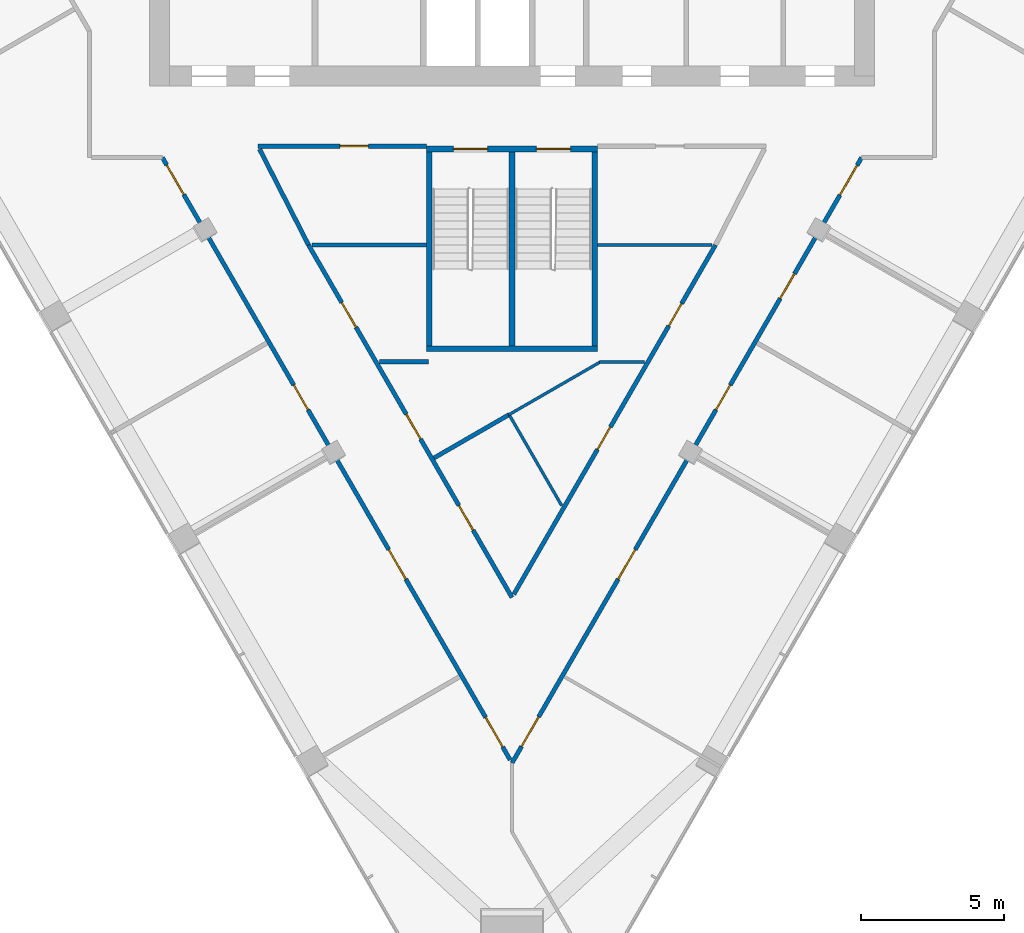
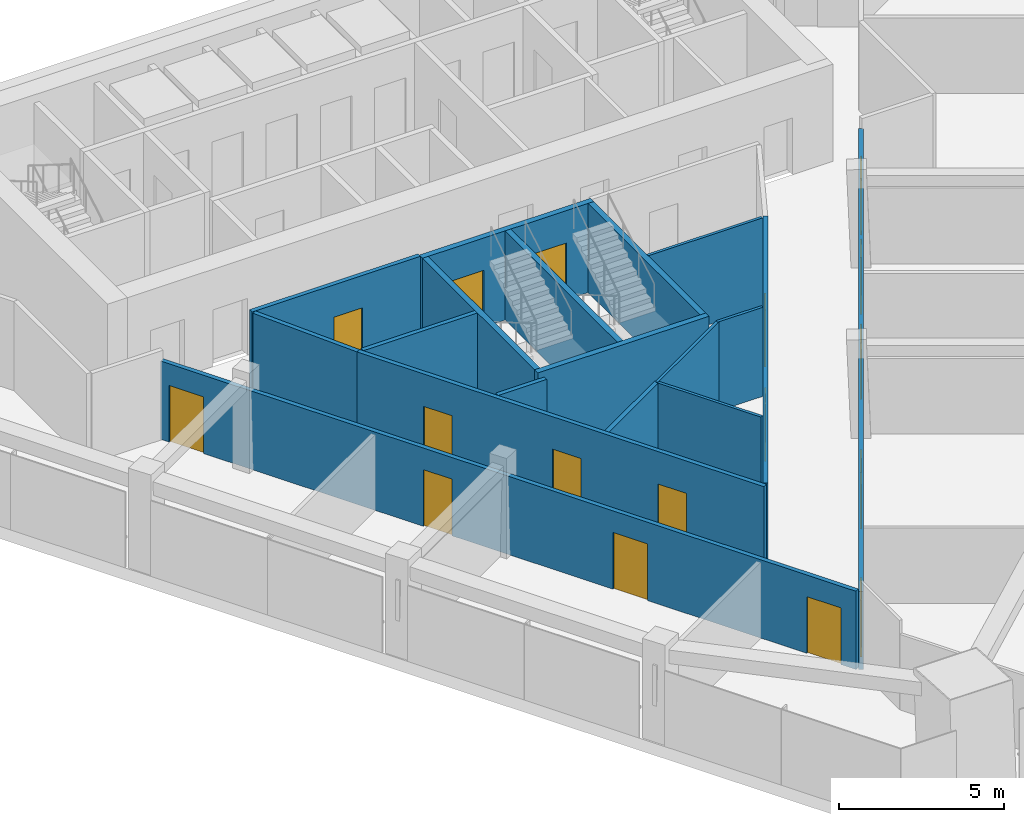
# One storey, part 8 of 13: 18 walls, 17 doors, 17 openings.
"""IFC4 building model written with IfcOpenShell, lengths in metres."""

from ifc_helpers import new_model, si_unit, direction, frame, frame_2d, origin, place, context, subcontext, project, spatial, rectangle, extrude, material, layer, layer_set, type_object, element, fill, save


model = new_model("IFC4")

# Units and contexts
model_context = context("Model", 3, precision=1e-05, world=origin(), true_north=direction((0.0, 1.0)))
body_context = subcontext(model_context, "Body", "Model", "MODEL_VIEW")
ifc_project = project(units=[si_unit("LENGTHUNIT", "METRE"), si_unit("AREAUNIT", "SQUARE_METRE"), si_unit("VOLUMEUNIT", "CUBIC_METRE"), si_unit("PLANEANGLEUNIT", "RADIAN"), si_unit("MASSUNIT", "GRAM", prefix="KILO")], contexts=[model_context])

# Site, building, storey
site_placement = place(None, origin())
site = spatial("IfcSite", under=ifc_project, at=site_placement, CompositionType="ELEMENT")
building_placement = place(site_placement, origin())
building = spatial("IfcBuilding", under=site, at=building_placement, Name="Altiplano Prism Tower", CompositionType="ELEMENT")
storey_placement = place(building_placement, frame((0.0, 0.0, 208.800048828125)))
storey = spatial("IfcBuildingStorey", under=building, at=storey_placement, Name="L54", CompositionType="ELEMENT", Elevation=208.800048828125)

# Walls
ifc_material_1 = material(Name="Plasterboard on steel stud", Category="steel")
ifc_layer_1 = layer(ifc_material_1, 0.10009765625)
ifc_layer_set_1 = layer_set([ifc_layer_1], Name="Plasterboard on steel stud")
wall_type_1 = type_object("IfcWallType", Name="Partition 100 wet", PredefinedType="PARTITIONING", material=ifc_layer_set_1)
wall_1_placement = place(storey_placement, frame((89.648193359375, 83.045166015625, 0.0), z_axis=(0.0, 0.0, 1.0), x_axis=(-1.0, 0.0, 0.0)))
element("IfcWall", 1, at=wall_1_placement, inside=storey, type_object=wall_type_1, Name="Partition P03 L54 023", PredefinedType="PARTITIONING", context=body_context, shape_type="SweptSolid", body=[
    extrude(rectangle(XDim=1.58984375, YDim=0.10009765625, at=frame_2d((0.794921875, 0.0))), origin(), (0.0, 0.0, 1.0), 3.300048828125),
])
wall_2_placement = place(storey_placement, frame((88.098388671875, 83.045166015625, 0.0), z_axis=(0.0, 0.0, 1.0), x_axis=(-0.866037789714, -0.499978546328, 0.0)))
element("IfcWall", 2, at=wall_2_placement, inside=storey, type_object=wall_type_1, Name="Partition P03 L54 024", PredefinedType="PARTITIONING", context=body_context, shape_type="SweptSolid", body=[
    extrude(rectangle(XDim=3.713623046875, YDim=0.10009765625, at=frame_2d((1.85693359375, 0.0))), origin(), (0.0, 0.0, 1.0), 3.300048828125),
])
wall_3_placement = place(storey_placement, frame((84.899658203125, 81.198486328125, 0.0), z_axis=(0.0, 0.0, 1.0), x_axis=(0.500003651254, -0.866023295722, 0.0)))
element("IfcWall", 3, at=wall_3_placement, inside=storey, type_object=wall_type_1, Name="Partition P03 L54 025", PredefinedType="PARTITIONING", context=body_context, shape_type="SweptSolid", body=[
    extrude(rectangle(XDim=3.6826171875, YDim=0.10009765625, at=frame_2d((1.84130859375, 0.0))), origin(), (0.0, 0.0, 1.0), 3.300048828125),
])
wall_4_placement = place(storey_placement, frame((92.01171875, 87.1396484375, 0.0), z_axis=(0.0, 0.0, 1.0), x_axis=(-1.0, 0.0, 0.0)))
element("IfcWall", 4, at=wall_4_placement, inside=storey, type_object=wall_type_1, Name="Partition P03 L54 026", PredefinedType="PARTITIONING", context=body_context, shape_type="SweptSolid", body=[
    extrude(rectangle(XDim=4.01171875, YDim=0.10009765625, at=frame_2d((2.005859375, 0.0))), origin(), (0.0, 0.0, 1.0), 3.300048828125),
])

# Wall, openings, doors
ifc_layer_2 = layer(ifc_material_1, 0.14990234375)
ifc_layer_set_2 = layer_set([ifc_layer_2], Name="Plasterboard on steel stud")
wall_type_2 = type_object("IfcWallType", Name="Partition 150 corridor", PredefinedType="PARTITIONING", material=ifc_layer_set_2)
wall_5_placement = place(storey_placement, frame((92.127197265625, 87.1396484375, 0.0), z_axis=(0.0, 0.0, 1.0), x_axis=(-0.499947864803, -0.866055501962, 0.0)))
wall_5 = element("IfcWall", 5, at=wall_5_placement, inside=storey, type_object=wall_type_2, Name="Partition P06 L54 001", PredefinedType="PARTITIONING", context=body_context, shape_type="SweptSolid", body=[
    extrude(rectangle(XDim=14.1259765625, YDim=0.14990234375, at=frame_2d((7.06298828125, 0.0))), origin(), (0.0, 0.0, 1.0), 3.300048828125),
])
opening_1_placement = place(wall_5_placement, frame((7.366943359375, 0.0, 0.0)))
opening_1 = element("IfcOpeningElement", 6, at=opening_1_placement, cuts=wall_5, Name="Opening D1849", PredefinedType="OPENING", context=body_context, shape_type="SweptSolid", body=[
    extrude(rectangle(XDim=0.89990234375, YDim=2.10009765625, at=frame_2d((0.449951171875, 1.050048828125))), frame((0.0, 0.08544921875, 0.0), z_axis=(0.0, -1.0, 0.0), x_axis=(1.0, 0.0, 0.0)), (0.0, 0.0, 1.0), 0.1708984375),
])
opening_2_placement = place(wall_5_placement, frame((2.3720703125, 0.0, 0.0)))
opening_2 = element("IfcOpeningElement", 7, at=opening_2_placement, cuts=wall_5, Name="Opening D1850", PredefinedType="OPENING", context=body_context, shape_type="SweptSolid", body=[
    extrude(rectangle(XDim=0.89990234375, YDim=2.10009765625, at=frame_2d((0.449951171875, 1.050048828125))), frame((0.0, 0.08544921875, 0.0), z_axis=(0.0, -1.0, 0.0), x_axis=(1.0, 0.0, 0.0)), (0.0, 0.0, 1.0), 0.1708984375),
])
ifc_material_2 = material(Name="Timber", Category="wood")
door_type_1 = type_object("IfcDoorType", Name="Toilet door 900 x 2100", OperationType="NOTDEFINED", PredefinedType="NOTDEFINED", material=ifc_material_2)
door_1_placement = place(opening_1_placement, origin())
door_1 = element("IfcDoor", 8, at=door_1_placement, inside=storey, type_object=door_type_1, Name="Door D1849", OperationType="SINGLE_SWING_LEFT", OverallHeight=2.10009765625, OverallWidth=0.89990234375, PredefinedType="NOTDEFINED", context=body_context, shape_type="SweptSolid", body=[
    extrude(rectangle(XDim=0.89990234375, YDim=2.10009765625, at=frame_2d((0.449951171875, 1.050048828125))), frame((0.0, 0.02490234375, 0.0), z_axis=(0.0, -1.0, 0.0), x_axis=(1.0, 0.0, 0.0)), (0.0, 0.0, 1.0), 0.050048828125),
])
fill(opening_1, door_1)
door_2_placement = place(opening_2_placement, origin())
door_2 = element("IfcDoor", 9, at=door_2_placement, inside=storey, type_object=door_type_1, Name="Door D1850", OperationType="SINGLE_SWING_LEFT", OverallHeight=2.10009765625, OverallWidth=0.89990234375, PredefinedType="NOTDEFINED", context=body_context, shape_type="SweptSolid", body=[
    extrude(rectangle(XDim=0.89990234375, YDim=2.10009765625, at=frame_2d((0.449951171875, 1.050048828125))), frame((0.0, 0.02490234375, 0.0), z_axis=(0.0, -1.0, 0.0), x_axis=(1.0, 0.0, 0.0)), (0.0, 0.0, 1.0), 0.050048828125),
])
fill(opening_2, door_2)

wall_6_placement = place(storey_placement, frame((85.0, 74.793212890625, 0.0), z_axis=(0.0, 0.0, 1.0), x_axis=(-0.499933459227, 0.866063817709, 0.0)))
wall_6 = element("IfcWall", 10, at=wall_6_placement, inside=storey, type_object=wall_type_2, Name="Partition P06 L54 002", PredefinedType="PARTITIONING", context=body_context, shape_type="SweptSolid", body=[
    extrude(rectangle(XDim=14.255859375, YDim=0.14990234375, at=frame_2d((7.1279296875, 0.0))), origin(), (0.0, 0.0, 1.0), 3.300048828125),
])
opening_3_placement = place(wall_6_placement, frame((6.407958984375, 0.0, 0.0)))
opening_3 = element("IfcOpeningElement", 11, at=opening_3_placement, cuts=wall_6, Name="Opening D1851", PredefinedType="OPENING", context=body_context, shape_type="SweptSolid", body=[
    extrude(rectangle(XDim=1.0, YDim=2.10009765625, at=frame_2d((0.5, 1.050048828125))), frame((0.0, 0.08544921875, 0.0), z_axis=(0.0, -1.0, 0.0), x_axis=(1.0, 0.0, 0.0)), (0.0, 0.0, 1.0), 0.1708984375),
])
opening_4_placement = place(wall_6_placement, frame((10.929931640625, 0.0, 0.0)))
opening_4 = element("IfcOpeningElement", 12, at=opening_4_placement, cuts=wall_6, Name="Opening D1852", PredefinedType="OPENING", context=body_context, shape_type="SweptSolid", body=[
    extrude(rectangle(XDim=1.0, YDim=2.10009765625, at=frame_2d((0.5, 1.050048828125))), frame((0.0, 0.08544921875, 0.0), z_axis=(0.0, -1.0, 0.0), x_axis=(1.0, 0.0, 0.0)), (0.0, 0.0, 1.0), 0.1708984375),
])
opening_5_placement = place(wall_6_placement, frame((2.719970703125, 0.0, 0.0)))
opening_5 = element("IfcOpeningElement", 13, at=opening_5_placement, cuts=wall_6, Name="Opening D1868", PredefinedType="OPENING", context=body_context, shape_type="SweptSolid", body=[
    extrude(rectangle(XDim=1.0, YDim=2.10009765625, at=frame_2d((0.5, 1.050048828125))), frame((0.0, 0.08544921875, 0.0), z_axis=(0.0, -1.0, 0.0), x_axis=(1.0, 0.0, 0.0)), (0.0, 0.0, 1.0), 0.1708984375),
])
door_type_2 = type_object("IfcDoorType", Name="Store door 1000 x 2100", OperationType="NOTDEFINED", PredefinedType="NOTDEFINED", material=ifc_material_2)
door_3_placement = place(opening_3_placement, origin())
door_3 = element("IfcDoor", 14, at=door_3_placement, inside=storey, type_object=door_type_2, Name="Door D1851", OperationType="SINGLE_SWING_RIGHT", OverallHeight=2.10009765625, OverallWidth=1.0, PredefinedType="NOTDEFINED", context=body_context, shape_type="SweptSolid", body=[
    extrude(rectangle(XDim=1.0, YDim=2.10009765625, at=frame_2d((0.5, 1.050048828125))), frame((0.0, 0.02490234375, 0.0), z_axis=(0.0, -1.0, 0.0), x_axis=(1.0, 0.0, 0.0)), (0.0, 0.0, 1.0), 0.050048828125),
])
fill(opening_3, door_3)
door_4_placement = place(opening_4_placement, origin())
door_4 = element("IfcDoor", 15, at=door_4_placement, inside=storey, type_object=door_type_2, Name="Door D1852", OperationType="SINGLE_SWING_RIGHT", OverallHeight=2.10009765625, OverallWidth=1.0, PredefinedType="NOTDEFINED", context=body_context, shape_type="SweptSolid", body=[
    extrude(rectangle(XDim=1.0, YDim=2.10009765625, at=frame_2d((0.5, 1.050048828125))), frame((0.0, 0.02490234375, 0.0), z_axis=(0.0, -1.0, 0.0), x_axis=(1.0, 0.0, 0.0)), (0.0, 0.0, 1.0), 0.050048828125),
])
fill(opening_4, door_4)
door_5_placement = place(opening_5_placement, origin())
door_5 = element("IfcDoor", 16, at=door_5_placement, inside=storey, type_object=door_type_2, Name="Door D1868", OperationType="SINGLE_SWING_LEFT", OverallHeight=2.10009765625, OverallWidth=1.0, PredefinedType="NOTDEFINED", context=body_context, shape_type="SweptSolid", body=[
    extrude(rectangle(XDim=1.0, YDim=2.10009765625, at=frame_2d((0.5, 1.050048828125))), frame((0.0, 0.02490234375, 0.0), z_axis=(0.0, -1.0, 0.0), x_axis=(1.0, 0.0, 0.0)), (0.0, 0.0, 1.0), 0.050048828125),
])
fill(opening_5, door_5)

wall_7_placement = place(storey_placement, frame((72.75634765625, 90.199951171875, 0.0), z_axis=(0.0, 0.0, 1.0), x_axis=(0.499998361514, -0.866026349763, 0.0)))
wall_7 = element("IfcWall", 17, at=wall_7_placement, inside=storey, type_object=wall_type_2, Name="Partition P06 L54 007", PredefinedType="PARTITIONING", context=body_context, shape_type="SweptSolid", body=[
    extrude(rectangle(XDim=24.357421875, YDim=0.14990234375, at=frame_2d((12.1787109375, 0.0))), origin(), (0.0, 0.0, 1.0), 2.89990234375),
])
opening_6_placement = place(wall_7_placement, frame((0.297119140625, 0.0, 0.0)))
opening_6 = element("IfcOpeningElement", 18, at=opening_6_placement, cuts=wall_7, Name="Opening D1854", PredefinedType="OPENING", context=body_context, shape_type="SweptSolid", body=[
    extrude(rectangle(XDim=1.199951171875, YDim=2.10009765625, at=frame_2d((0.60009765625, 1.050048828125))), frame((0.0, 0.08544921875, 0.0), z_axis=(0.0, -1.0, 0.0), x_axis=(1.0, 0.0, 0.0)), (0.0, 0.0, 1.0), 0.1708984375),
])
opening_7_placement = place(wall_7_placement, frame((9.201904296875, 0.0, 0.0)))
opening_7 = element("IfcOpeningElement", 19, at=opening_7_placement, cuts=wall_7, Name="Opening D1855", PredefinedType="OPENING", context=body_context, shape_type="SweptSolid", body=[
    extrude(rectangle(XDim=1.0, YDim=2.10009765625, at=frame_2d((0.5, 1.050048828125))), frame((0.0, 0.08544921875, 0.0), z_axis=(0.0, -1.0, 0.0), x_axis=(1.0, 0.0, 0.0)), (0.0, 0.0, 1.0), 0.1708984375),
])
opening_8_placement = place(wall_7_placement, frame((15.85205078125, 0.0, 0.0)))
opening_8 = element("IfcOpeningElement", 20, at=opening_8_placement, cuts=wall_7, Name="Opening D1856", PredefinedType="OPENING", context=body_context, shape_type="SweptSolid", body=[
    extrude(rectangle(XDim=1.199951171875, YDim=2.10009765625, at=frame_2d((0.60009765625, 1.050048828125))), frame((0.0, 0.08544921875, 0.0), z_axis=(0.0, -1.0, 0.0), x_axis=(1.0, 0.0, 0.0)), (0.0, 0.0, 1.0), 0.1708984375),
])
opening_9_placement = place(wall_7_placement, frame((22.634033203125, 0.0, 0.0)))
opening_9 = element("IfcOpeningElement", 21, at=opening_9_placement, cuts=wall_7, Name="Opening D1857", PredefinedType="OPENING", context=body_context, shape_type="SweptSolid", body=[
    extrude(rectangle(XDim=1.199951171875, YDim=2.10009765625, at=frame_2d((0.60009765625, 1.050048828125))), frame((0.0, 0.08544921875, 0.0), z_axis=(0.0, -1.0, 0.0), x_axis=(1.0, 0.0, 0.0)), (0.0, 0.0, 1.0), 0.1708984375),
])
door_type_3 = type_object("IfcDoorType", Name="Room door 1000 x 2100", OperationType="NOTDEFINED", PredefinedType="NOTDEFINED", material=ifc_material_2)
door_6_placement = place(opening_7_placement, origin())
door_6 = element("IfcDoor", 22, at=door_6_placement, inside=storey, type_object=door_type_3, Name="Door D1855", OperationType="SINGLE_SWING_LEFT", OverallHeight=2.10009765625, OverallWidth=1.0, PredefinedType="NOTDEFINED", context=body_context, shape_type="SweptSolid", body=[
    extrude(rectangle(XDim=1.0, YDim=2.10009765625, at=frame_2d((0.5, 1.050048828125))), frame((0.0, 0.02490234375, 0.0), z_axis=(0.0, -1.0, 0.0), x_axis=(1.0, 0.0, 0.0)), (0.0, 0.0, 1.0), 0.050048828125),
])
fill(opening_7, door_6)
door_type_4 = type_object("IfcDoorType", Name="Shared room door 1200 x 2100", OperationType="NOTDEFINED", PredefinedType="NOTDEFINED", material=ifc_material_2)
door_7_placement = place(opening_6_placement, origin())
door_7 = element("IfcDoor", 23, at=door_7_placement, inside=storey, type_object=door_type_4, Name="Door D1854", OperationType="SINGLE_SWING_RIGHT", OverallHeight=2.10009765625, OverallWidth=1.199951171875, PredefinedType="NOTDEFINED", context=body_context, shape_type="SweptSolid", body=[
    extrude(rectangle(XDim=1.199951171875, YDim=2.10009765625, at=frame_2d((0.60009765625, 1.050048828125))), frame((0.0, 0.02490234375, 0.0), z_axis=(0.0, -1.0, 0.0), x_axis=(1.0, 0.0, 0.0)), (0.0, 0.0, 1.0), 0.050048828125),
])
fill(opening_6, door_7)
door_8_placement = place(opening_8_placement, origin())
door_8 = element("IfcDoor", 24, at=door_8_placement, inside=storey, type_object=door_type_4, Name="Door D1856", OperationType="SINGLE_SWING_RIGHT", OverallHeight=2.10009765625, OverallWidth=1.199951171875, PredefinedType="NOTDEFINED", context=body_context, shape_type="SweptSolid", body=[
    extrude(rectangle(XDim=1.199951171875, YDim=2.10009765625, at=frame_2d((0.60009765625, 1.050048828125))), frame((0.0, 0.02490234375, 0.0), z_axis=(0.0, -1.0, 0.0), x_axis=(1.0, 0.0, 0.0)), (0.0, 0.0, 1.0), 0.050048828125),
])
fill(opening_8, door_8)
door_9_placement = place(opening_9_placement, origin())
door_9 = element("IfcDoor", 25, at=door_9_placement, inside=storey, type_object=door_type_4, Name="Door D1857", OperationType="SINGLE_SWING_LEFT", OverallHeight=2.10009765625, OverallWidth=1.199951171875, PredefinedType="NOTDEFINED", context=body_context, shape_type="SweptSolid", body=[
    extrude(rectangle(XDim=1.199951171875, YDim=2.10009765625, at=frame_2d((0.60009765625, 1.050048828125))), frame((0.0, 0.02490234375, 0.0), z_axis=(0.0, -1.0, 0.0), x_axis=(1.0, 0.0, 0.0)), (0.0, 0.0, 1.0), 0.050048828125),
])
fill(opening_9, door_9)

wall_8_placement = place(storey_placement, frame((85.0, 68.9931640625, 0.0), z_axis=(0.0, 0.0, 1.0), x_axis=(0.50000466271, 0.866022711751, 0.0)))
wall_8 = element("IfcWall", 26, at=wall_8_placement, inside=storey, type_object=wall_type_2, Name="Partition P06 L54 008", PredefinedType="PARTITIONING", context=body_context, shape_type="SweptSolid", body=[
    extrude(rectangle(XDim=24.487548828125, YDim=0.14990234375, at=frame_2d((12.24365234375, 0.0))), origin(), (0.0, 0.0, 1.0), 2.89990234375),
])
opening_10_placement = place(wall_8_placement, frame((0.6708984375, 0.0, 0.0)))
opening_10 = element("IfcOpeningElement", 27, at=opening_10_placement, cuts=wall_8, Name="Opening D1858", PredefinedType="OPENING", context=body_context, shape_type="SweptSolid", body=[
    extrude(rectangle(XDim=1.199951171875, YDim=2.10009765625, at=frame_2d((0.60009765625, 1.050048828125))), frame((0.0, 0.08544921875, 0.0), z_axis=(0.0, -1.0, 0.0), x_axis=(1.0, 0.0, 0.0)), (0.0, 0.0, 1.0), 0.1708984375),
])
opening_11_placement = place(wall_8_placement, frame((7.43603515625, 0.0, 0.0)))
opening_11 = element("IfcOpeningElement", 28, at=opening_11_placement, cuts=wall_8, Name="Opening D1859", PredefinedType="OPENING", context=body_context, shape_type="SweptSolid", body=[
    extrude(rectangle(XDim=1.199951171875, YDim=2.10009765625, at=frame_2d((0.60009765625, 1.050048828125))), frame((0.0, 0.08544921875, 0.0), z_axis=(0.0, -1.0, 0.0), x_axis=(1.0, 0.0, 0.0)), (0.0, 0.0, 1.0), 0.1708984375),
])
opening_12_placement = place(wall_8_placement, frame((14.285888671875, 0.0, 0.0)))
opening_12 = element("IfcOpeningElement", 29, at=opening_12_placement, cuts=wall_8, Name="Opening D1860", PredefinedType="OPENING", context=body_context, shape_type="SweptSolid", body=[
    extrude(rectangle(XDim=1.0, YDim=2.10009765625, at=frame_2d((0.5, 1.050048828125))), frame((0.0, 0.08544921875, 0.0), z_axis=(0.0, -1.0, 0.0), x_axis=(1.0, 0.0, 0.0)), (0.0, 0.0, 1.0), 0.1708984375),
])
opening_13_placement = place(wall_8_placement, frame((18.785888671875, 0.0, 0.0)))
opening_13 = element("IfcOpeningElement", 30, at=opening_13_placement, cuts=wall_8, Name="Opening D1861", PredefinedType="OPENING", context=body_context, shape_type="SweptSolid", body=[
    extrude(rectangle(XDim=1.0, YDim=2.10009765625, at=frame_2d((0.5, 1.050048828125))), frame((0.0, 0.08544921875, 0.0), z_axis=(0.0, -1.0, 0.0), x_axis=(1.0, 0.0, 0.0)), (0.0, 0.0, 1.0), 0.1708984375),
])
opening_14_placement = place(wall_8_placement, frame((22.972900390625, 0.0, 0.0)))
opening_14 = element("IfcOpeningElement", 31, at=opening_14_placement, cuts=wall_8, Name="Opening D1862", PredefinedType="OPENING", context=body_context, shape_type="SweptSolid", body=[
    extrude(rectangle(XDim=1.199951171875, YDim=2.10009765625, at=frame_2d((0.60009765625, 1.050048828125))), frame((0.0, 0.08544921875, 0.0), z_axis=(0.0, -1.0, 0.0), x_axis=(1.0, 0.0, 0.0)), (0.0, 0.0, 1.0), 0.1708984375),
])
door_10_placement = place(opening_12_placement, origin())
door_10 = element("IfcDoor", 32, at=door_10_placement, inside=storey, type_object=door_type_3, Name="Door D1860", OperationType="SINGLE_SWING_LEFT", OverallHeight=2.10009765625, OverallWidth=1.0, PredefinedType="NOTDEFINED", context=body_context, shape_type="SweptSolid", body=[
    extrude(rectangle(XDim=1.0, YDim=2.10009765625, at=frame_2d((0.5, 1.050048828125))), frame((0.0, 0.02490234375, 0.0), z_axis=(0.0, -1.0, 0.0), x_axis=(1.0, 0.0, 0.0)), (0.0, 0.0, 1.0), 0.050048828125),
])
fill(opening_12, door_10)
door_11_placement = place(opening_13_placement, origin())
door_11 = element("IfcDoor", 33, at=door_11_placement, inside=storey, type_object=door_type_3, Name="Door D1861", OperationType="SINGLE_SWING_RIGHT", OverallHeight=2.10009765625, OverallWidth=1.0, PredefinedType="NOTDEFINED", context=body_context, shape_type="SweptSolid", body=[
    extrude(rectangle(XDim=1.0, YDim=2.10009765625, at=frame_2d((0.5, 1.050048828125))), frame((0.0, 0.02490234375, 0.0), z_axis=(0.0, -1.0, 0.0), x_axis=(1.0, 0.0, 0.0)), (0.0, 0.0, 1.0), 0.050048828125),
])
fill(opening_13, door_11)
door_12_placement = place(opening_10_placement, origin())
door_12 = element("IfcDoor", 34, at=door_12_placement, inside=storey, type_object=door_type_4, Name="Door D1858", OperationType="SINGLE_SWING_RIGHT", OverallHeight=2.10009765625, OverallWidth=1.199951171875, PredefinedType="NOTDEFINED", context=body_context, shape_type="SweptSolid", body=[
    extrude(rectangle(XDim=1.199951171875, YDim=2.10009765625, at=frame_2d((0.60009765625, 1.050048828125))), frame((0.0, 0.02490234375, 0.0), z_axis=(0.0, -1.0, 0.0), x_axis=(1.0, 0.0, 0.0)), (0.0, 0.0, 1.0), 0.050048828125),
])
fill(opening_10, door_12)
door_13_placement = place(opening_11_placement, origin())
door_13 = element("IfcDoor", 35, at=door_13_placement, inside=storey, type_object=door_type_4, Name="Door D1859", OperationType="SINGLE_SWING_RIGHT", OverallHeight=2.10009765625, OverallWidth=1.199951171875, PredefinedType="NOTDEFINED", context=body_context, shape_type="SweptSolid", body=[
    extrude(rectangle(XDim=1.199951171875, YDim=2.10009765625, at=frame_2d((0.60009765625, 1.050048828125))), frame((0.0, 0.02490234375, 0.0), z_axis=(0.0, -1.0, 0.0), x_axis=(1.0, 0.0, 0.0)), (0.0, 0.0, 1.0), 0.050048828125),
])
fill(opening_11, door_13)
door_14_placement = place(opening_14_placement, origin())
door_14 = element("IfcDoor", 36, at=door_14_placement, inside=storey, type_object=door_type_4, Name="Door D1862", OperationType="SINGLE_SWING_RIGHT", OverallHeight=2.10009765625, OverallWidth=1.199951171875, PredefinedType="NOTDEFINED", context=body_context, shape_type="SweptSolid", body=[
    extrude(rectangle(XDim=1.199951171875, YDim=2.10009765625, at=frame_2d((0.60009765625, 1.050048828125))), frame((0.0, 0.02490234375, 0.0), z_axis=(0.0, -1.0, 0.0), x_axis=(1.0, 0.0, 0.0)), (0.0, 0.0, 1.0), 0.050048828125),
])
fill(opening_14, door_14)

# Wall
wall_9_placement = place(storey_placement, frame((77.873046875, 87.1396484375, 0.0), z_axis=(0.0, 0.0, 1.0), x_axis=(-0.455007044223, 0.890487838046, 0.0)))
element("IfcWall", 37, at=wall_9_placement, inside=storey, type_object=wall_type_2, Name="Partition P06 L54 021", PredefinedType="PARTITIONING", context=body_context, shape_type="SweptSolid", body=[
    extrude(rectangle(XDim=3.763427734375, YDim=0.14990234375, at=frame_2d((1.8818359375, 0.0))), origin(), (0.0, 0.0, 1.0), 3.300048828125),
])

# Wall, opening, door
wall_10_placement = place(storey_placement, frame((76.104736328125, 90.60009765625, 0.0), z_axis=(0.0, 0.0, 1.0), x_axis=(1.0, 0.0, 0.0)))
wall_10 = element("IfcWall", 38, at=wall_10_placement, inside=storey, type_object=wall_type_2, Name="Partition P06 L54 022", PredefinedType="PARTITIONING", context=body_context, shape_type="SweptSolid", body=[
    extrude(rectangle(XDim=5.895263671875, YDim=0.14990234375, at=frame_2d((2.94775390625, 0.0))), origin(), (0.0, 0.0, 1.0), 3.300048828125),
])
opening_15_placement = place(wall_10_placement, frame((2.864013671875, 0.0, 0.0)))
opening_15 = element("IfcOpeningElement", 39, at=opening_15_placement, cuts=wall_10, Name="Opening D1867", PredefinedType="OPENING", context=body_context, shape_type="SweptSolid", body=[
    extrude(rectangle(XDim=1.0, YDim=2.10009765625, at=frame_2d((0.5, 1.050048828125))), frame((0.0, 0.08544921875, 0.0), z_axis=(0.0, -1.0, 0.0), x_axis=(1.0, 0.0, 0.0)), (0.0, 0.0, 1.0), 0.1708984375),
])
door_15_placement = place(opening_15_placement, origin())
door_15 = element("IfcDoor", 40, at=door_15_placement, inside=storey, type_object=door_type_3, Name="Door D1867", OperationType="SINGLE_SWING_RIGHT", OverallHeight=2.10009765625, OverallWidth=1.0, PredefinedType="NOTDEFINED", context=body_context, shape_type="SweptSolid", body=[
    extrude(rectangle(XDim=1.0, YDim=2.10009765625, at=frame_2d((0.5, 1.050048828125))), frame((0.0, 0.02490234375, 0.0), z_axis=(0.0, -1.0, 0.0), x_axis=(1.0, 0.0, 0.0)), (0.0, 0.0, 1.0), 0.050048828125),
])
fill(opening_15, door_15)

# Walls
ifc_layer_3 = layer(ifc_material_1, 0.14990234375)
ifc_layer_set_3 = layer_set([ifc_layer_3], Name="Plasterboard on steel stud")
wall_type_3 = type_object("IfcWallType", Name="Partition 150 party", PredefinedType="PARTITIONING", material=ifc_layer_set_3)
wall_11_placement = place(storey_placement, frame((82.068115234375, 83.04541015625, 0.0), z_axis=(0.0, 0.0, 1.0), x_axis=(-0.999999989708, -0.000143472021, 0.0)))
element("IfcWall", 41, at=wall_11_placement, inside=storey, type_object=wall_type_3, Name="Partition P01 L54 027", PredefinedType="PARTITIONING", context=body_context, shape_type="SweptSolid", body=[
    extrude(rectangle(XDim=1.70166015625, YDim=0.14990234375, at=frame_2d((0.850830078125, 0.0))), origin(), (0.0, 0.0, 1.0), 3.300048828125),
])
wall_12_placement = place(storey_placement, frame((82.2666015625, 79.67822265625, 0.0), z_axis=(0.0, 0.0, 1.0), x_axis=(0.86601576024, 0.500016702737, 0.0)))
element("IfcWall", 42, at=wall_12_placement, inside=storey, type_object=wall_type_3, Name="Partition P01 L54 028", PredefinedType="PARTITIONING", context=body_context, shape_type="SweptSolid", body=[
    extrude(rectangle(XDim=3.04052734375, YDim=0.14990234375, at=frame_2d((1.520263671875, 0.0))), origin(), (0.0, 0.0, 1.0), 3.300048828125),
])
wall_13_placement = place(storey_placement, frame((82.0, 87.1396484375, 0.0), z_axis=(0.0, 0.0, 1.0), x_axis=(-1.0, 0.0, 0.0)))
element("IfcWall", 43, at=wall_13_placement, inside=storey, type_object=wall_type_3, Name="Partition P01 L54 029", PredefinedType="PARTITIONING", context=body_context, shape_type="SweptSolid", body=[
    extrude(rectangle(XDim=3.9970703125, YDim=0.14990234375, at=frame_2d((1.99853515625, 0.0))), origin(), (0.0, 0.0, 1.0), 3.300048828125),
])

# Wall, openings, doors
ifc_material_3 = material(Name="Concrete C60/75", Category="concrete")
ifc_layer_4 = layer(ifc_material_3, 0.199951171875)
ifc_layer_set_4 = layer_set([ifc_layer_4], Name="Concrete C60/75")
wall_type_4 = type_object("IfcWallType", Name="Stair wall 200", PredefinedType="SOLIDWALL", material=ifc_layer_set_4)
wall_14_placement = place(storey_placement, frame((82.0, 90.5, 0.0), z_axis=(0.0, 0.0, 1.0), x_axis=(1.0, 0.0, 0.0)))
wall_14 = element("IfcWall", 44, at=wall_14_placement, inside=storey, type_object=wall_type_4, Name="Stair 3 wall north L54", PredefinedType="SOLIDWALL", context=body_context, shape_type="SweptSolid", body=[
    extrude(rectangle(XDim=6.0, YDim=0.199951171875, at=frame_2d((3.0, 0.0))), origin(), (0.0, 0.0, 1.0), 3.300048828125),
])
opening_16_placement = place(wall_14_placement, frame((0.949951171875, 0.0, 0.0)))
opening_16 = element("IfcOpeningElement", 45, at=opening_16_placement, cuts=wall_14, Name="Opening D4030", PredefinedType="OPENING", context=body_context, shape_type="SweptSolid", body=[
    extrude(rectangle(XDim=1.199951171875, YDim=2.10009765625, at=frame_2d((0.60009765625, 1.050048828125))), frame((0.0, 0.1103515625, 0.0), z_axis=(0.0, -1.0, 0.0), x_axis=(1.0, 0.0, 0.0)), (0.0, 0.0, 1.0), 0.220947265625),
])
opening_17_placement = place(wall_14_placement, frame((3.85009765625, 0.0, 0.0)))
opening_17 = element("IfcOpeningElement", 46, at=opening_17_placement, cuts=wall_14, Name="Opening D4031", PredefinedType="OPENING", context=body_context, shape_type="SweptSolid", body=[
    extrude(rectangle(XDim=1.199951171875, YDim=2.10009765625, at=frame_2d((0.60009765625, 1.050048828125))), frame((0.0, 0.1103515625, 0.0), z_axis=(0.0, -1.0, 0.0), x_axis=(1.0, 0.0, 0.0)), (0.0, 0.0, 1.0), 0.220947265625),
])
ifc_material_4 = material(Name="Fire-rated steel door", Category="steel")
door_type_5 = type_object("IfcDoorType", Name="Stair fire door 1200 x 2100", OperationType="NOTDEFINED", PredefinedType="NOTDEFINED", material=ifc_material_4)
door_16_placement = place(opening_16_placement, origin())
door_16 = element("IfcDoor", 47, at=door_16_placement, inside=storey, type_object=door_type_5, Name="Stair fire door D4030", OperationType="SINGLE_SWING_LEFT", OverallHeight=2.10009765625, OverallWidth=1.199951171875, PredefinedType="NOTDEFINED", context=body_context, shape_type="SweptSolid", body=[
    extrude(rectangle(XDim=1.199951171875, YDim=2.10009765625, at=frame_2d((0.60009765625, 1.050048828125))), frame((0.0, 0.02490234375, 0.0), z_axis=(0.0, -1.0, 0.0), x_axis=(1.0, 0.0, 0.0)), (0.0, 0.0, 1.0), 0.050048828125),
])
fill(opening_16, door_16)
door_17_placement = place(opening_17_placement, origin())
door_17 = element("IfcDoor", 48, at=door_17_placement, inside=storey, type_object=door_type_5, Name="Stair fire door D4031", OperationType="SINGLE_SWING_LEFT", OverallHeight=2.10009765625, OverallWidth=1.199951171875, PredefinedType="NOTDEFINED", context=body_context, shape_type="SweptSolid", body=[
    extrude(rectangle(XDim=1.199951171875, YDim=2.10009765625, at=frame_2d((0.60009765625, 1.050048828125))), frame((0.0, 0.02490234375, 0.0), z_axis=(0.0, -1.0, 0.0), x_axis=(1.0, 0.0, 0.0)), (0.0, 0.0, 1.0), 0.050048828125),
])
fill(opening_17, door_17)

# Walls
wall_15_placement = place(storey_placement, frame((82.0, 83.5, 0.0), z_axis=(0.0, 0.0, 1.0), x_axis=(1.0, 0.0, 0.0)))
element("IfcWall", 49, at=wall_15_placement, inside=storey, type_object=wall_type_4, Name="Stair 3 wall south L54", PredefinedType="SOLIDWALL", context=body_context, shape_type="SweptSolid", body=[
    extrude(rectangle(XDim=6.0, YDim=0.199951171875, at=frame_2d((3.0, 0.0))), origin(), (0.0, 0.0, 1.0), 3.300048828125),
])
for number, where, z_axis, x_axis, name in (
    (50, (82.10009765625, 83.60009765625, 0.0), (0.0, 0.0, 1.0), (0.0, 1.0, 0.0), "Stair 3 wall west L54"),
    (51, (87.89990234375, 83.60009765625, 0.0), (0.0, 0.0, 1.0), (0.0, 1.0, 0.0), "Stair 3 wall east L54"),
    (52, (85.0, 83.60009765625, 0.0), (0.0, 0.0, 1.0), (0.0, 1.0, 0.0), "Stair 3 wall divider L54"),
):
    element("IfcWall", number, at=place(storey_placement, frame(where, z_axis=z_axis, x_axis=x_axis)), inside=storey, type_object=wall_type_4, Name=name, PredefinedType="SOLIDWALL", context=body_context, shape_type="SweptSolid", body=[
        extrude(rectangle(XDim=6.7998046875, YDim=0.199951171875, at=frame_2d((3.39990234375, 0.0))), origin(), (0.0, 0.0, 1.0), 3.300048828125),
    ])

save(model, "model.ifc")
